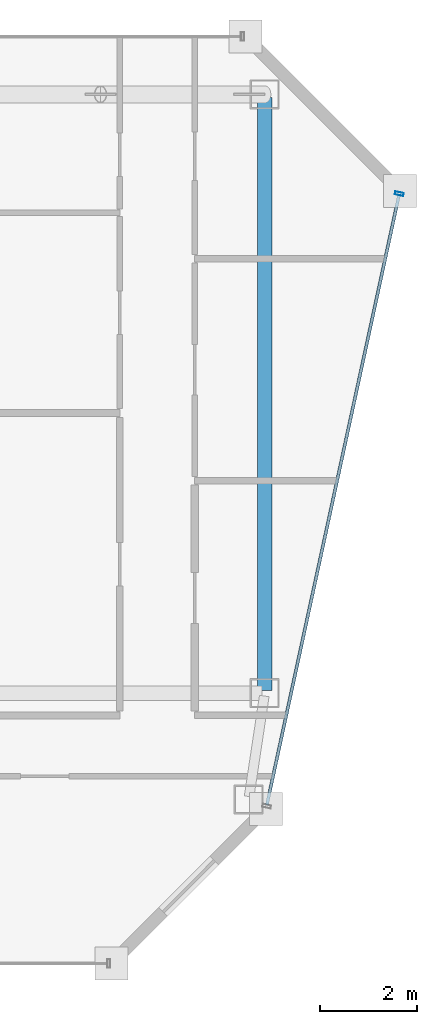
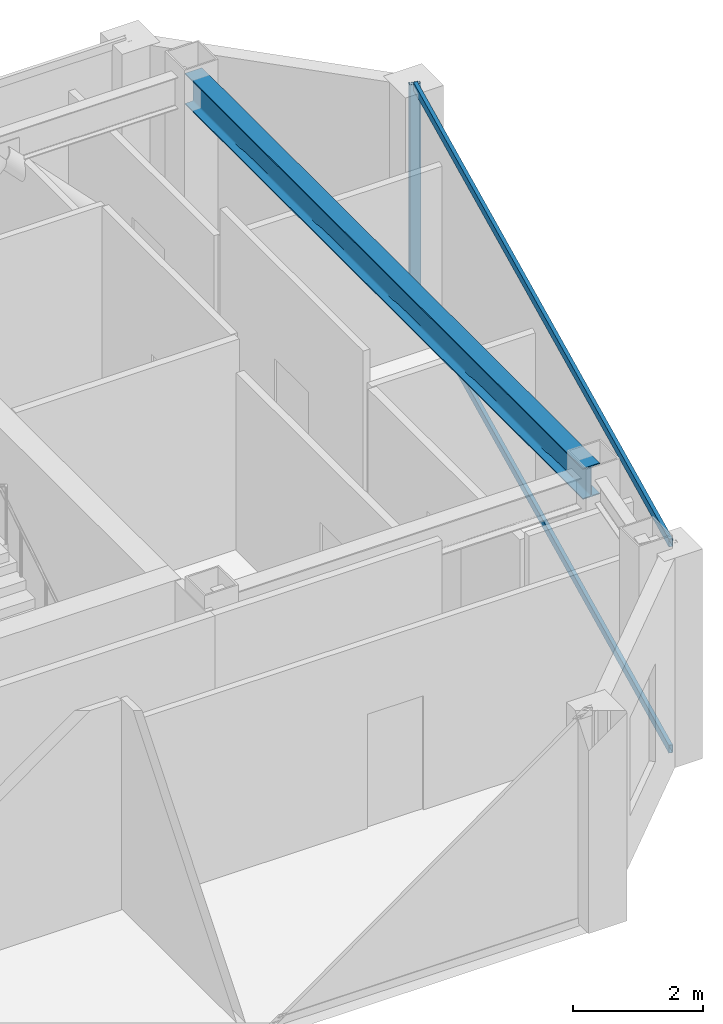
# One storey, part 11 of 20: 3 members, 1 beam, 1 element without a shape of its own.
"""IFC4 building model written with IfcOpenShell, lengths in metres."""

from ifc_helpers import new_model, si_unit, direction, frame, origin, origin_2d, place, context, subcontext, project, spatial, hollow_rectangle, i_section, extrude, material, material_profile, profile_set, type_object, element, aggregate, save


model = new_model("IFC4")

# Units and contexts
model_context = context("Model", 3, precision=1e-05, world=origin(), true_north=direction((0.0, 1.0)))
body_context = subcontext(model_context, "Body", "Model", "MODEL_VIEW")
ifc_project = project(units=[si_unit("LENGTHUNIT", "METRE"), si_unit("AREAUNIT", "SQUARE_METRE"), si_unit("VOLUMEUNIT", "CUBIC_METRE"), si_unit("PLANEANGLEUNIT", "RADIAN"), si_unit("MASSUNIT", "GRAM", prefix="KILO")], contexts=[model_context])

# Site, building, storey
site_placement = place(None, origin())
site = spatial("IfcSite", under=ifc_project, at=site_placement, CompositionType="ELEMENT")
building_placement = place(site_placement, origin())
building = spatial("IfcBuilding", under=site, at=building_placement, Name="Saevonmaru Cultural Tower", CompositionType="ELEMENT")
storey_placement = place(building_placement, frame((0.0, 0.0, 319.199951171875)))
storey = spatial("IfcBuildingStorey", under=building, at=storey_placement, Name="L76", CompositionType="ELEMENT", Elevation=319.199951171875)

# Beam
ifc_material_1 = material(Name="Steel SM355", Category="steel")
ifc_material_profile_1 = material_profile(ifc_material_1, i_section(OverallWidth=0.300048828125, OverallDepth=0.587890625, WebThickness=0.011962890625, FlangeThickness=0.02001953125, FilletRadius=0.02392578125, at=origin_2d()), Name="H-588x300x12x20")
ifc_profile_set_1 = profile_set([ifc_material_profile_1], Name="Steel SM355")
beam_type = type_object("IfcBeamType", Name="BM-G-H588", PredefinedType="BEAM", material=ifc_profile_set_1)
beam_placement = place(storey_placement, frame((53.199951171875, 54.739990234375, 3.656005859375), z_axis=(0.0, -1.0, 0.0), x_axis=(1.0, 0.0, 0.0)))
element("IfcBeam", 1, at=beam_placement, inside=storey, type_object=beam_type, Name="L76 Spine Transverse Girder E", PredefinedType="BEAM", context=body_context, shape_type="SweptSolid", body=[
    extrude(i_section(OverallWidth=0.300048828125, OverallDepth=0.587890625, WebThickness=0.011962890625, FlangeThickness=0.02001953125, FilletRadius=0.02392578125, at=origin_2d()), origin(), (0.0, 0.0, 1.0), 12.280029296875),
])

# Curtain wall, members
ifc_material_2 = material(Name="Satin Bronze Anodised Aluminium", Category="aluminium")
curtain_wall_type = type_object("IfcCurtainWallType", Name="CW-SKY-GLZ", PredefinedType="NOTDEFINED", material=ifc_material_2)
curtain_wall_placement = place(storey_placement, origin())
curtain_wall = element("IfcCurtainWall", 2, at=curtain_wall_placement, inside=storey, type_object=curtain_wall_type, Name="L76 Unitised Curtain Wall E8", PredefinedType="NOTDEFINED")
ifc_material_profile_2 = material_profile(ifc_material_2, hollow_rectangle(XDim=0.06494140625, YDim=0.179931640625, WallThickness=0.00390625, at=origin_2d()), Name="ALU-MULL-180x65x4")
ifc_profile_set_2 = profile_set([ifc_material_profile_2], Name="Satin Bronze Anodised Aluminium")
member_type_1 = type_object("IfcMemberType", Name="ML-CW-180x65", PredefinedType="MULLION", material=ifc_profile_set_2)
member_1_placement = place(storey_placement, frame((55.9873046875, 52.741455078125, 0.0), z_axis=(0.0, 0.0, 1.0), x_axis=(0.211750401587, 0.977323778196, 0.0)))
member_1 = element("IfcMember", 3, at=member_1_placement, type_object=member_type_1, Name="CW-TW-L76-E8 mullion 2", PredefinedType="MULLION", context=body_context, shape_type="SweptSolid", body=[
    extrude(hollow_rectangle(XDim=0.06494140625, YDim=0.179931640625, WallThickness=0.00390625, at=origin_2d()), origin(), (0.0, 0.0, 1.0), 3.949951171875),
])
ifc_material_profile_3 = material_profile(ifc_material_2, hollow_rectangle(XDim=0.06494140625, YDim=0.14990234375, WallThickness=0.00390625, at=origin_2d()), Name="ALU-TRAN-150x65x4")
ifc_profile_set_3 = profile_set([ifc_material_profile_3], Name="Satin Bronze Anodised Aluminium")
member_type_2 = type_object("IfcMemberType", Name="TR-CW-150x65", PredefinedType="USERDEFINED", material=ifc_profile_set_3)
member_2_placement = place(storey_placement, frame((53.246337890625, 40.09033203125, 0.032470703125), z_axis=(0.211748230013, 0.977324248695, 0.0), x_axis=(-0.977324248695, 0.211748230013, 0.0)))
member_2 = element("IfcMember", 4, at=member_2_placement, type_object=member_type_2, Name="CW-TW-L76-E8 transom 1.1", ObjectType="TRANSOM", PredefinedType="USERDEFINED", context=body_context, shape_type="SweptSolid", body=[
    extrude(hollow_rectangle(XDim=0.06494140625, YDim=0.14990234375, WallThickness=0.00390625, at=origin_2d()), origin(), (0.0, 0.0, 1.0), 12.912109375),
])
member_3_placement = place(storey_placement, frame((53.246337890625, 40.09033203125, 3.91748046875), z_axis=(0.211748230013, 0.977324248695, 0.0), x_axis=(-0.977324248695, 0.211748230013, 0.0)))
member_3 = element("IfcMember", 5, at=member_3_placement, type_object=member_type_2, Name="CW-TW-L76-E8 transom 1.2", ObjectType="TRANSOM", PredefinedType="USERDEFINED", context=body_context, shape_type="SweptSolid", body=[
    extrude(hollow_rectangle(XDim=0.06494140625, YDim=0.14990234375, WallThickness=0.00390625, at=origin_2d()), origin(), (0.0, 0.0, 1.0), 12.912109375),
])
aggregate(curtain_wall, [member_1, member_2, member_3])

save(model, "model.ifc")
